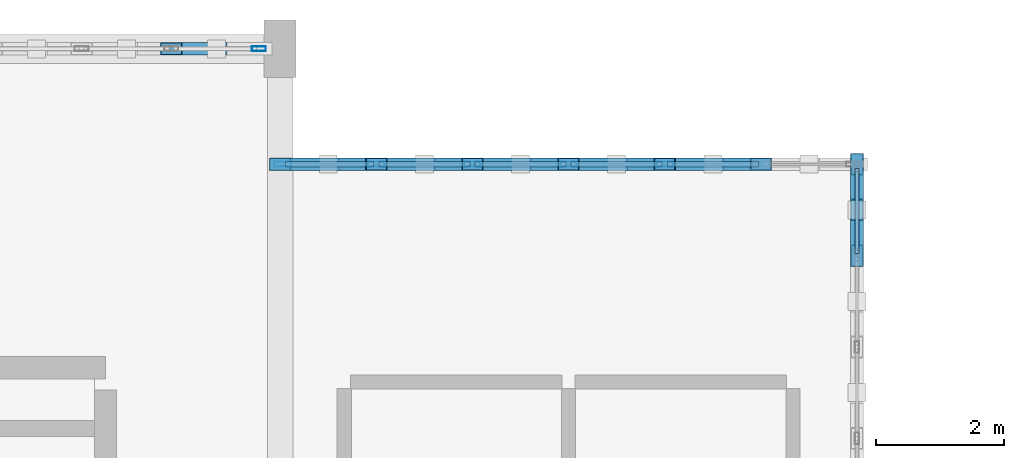
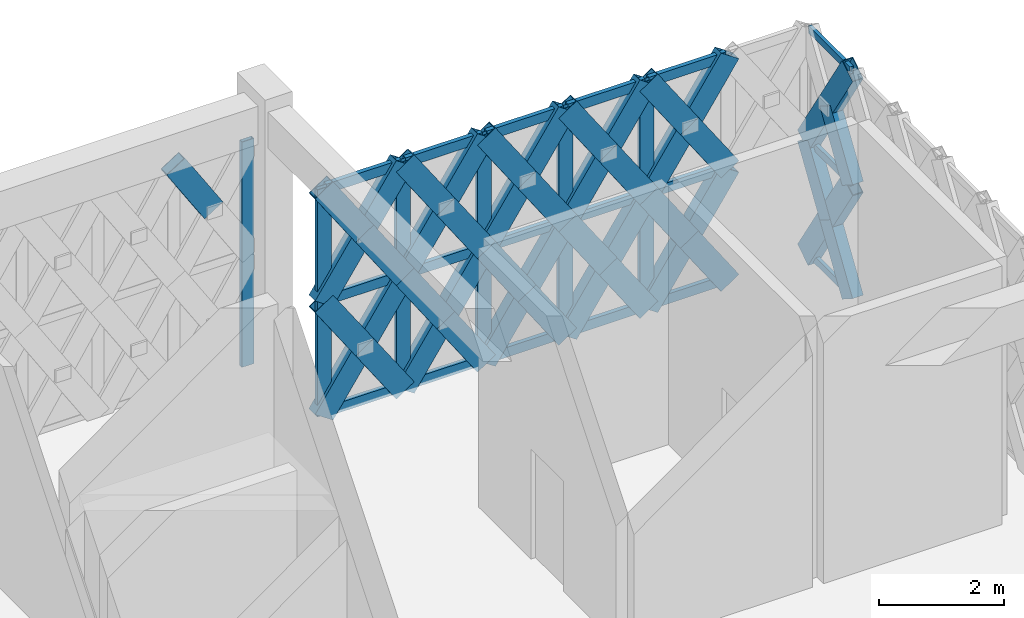
# One storey, part 47 of 86: 60 members, 3 elements without a shape of their own.
"""IFC4 building model written with IfcOpenShell, lengths in metres."""

from ifc_helpers import new_model, si_unit, direction, frame, origin, origin_2d, place, context, subcontext, project, spatial, hollow_rectangle, extrude, material, material_profile, profile_set, type_object, element, aggregate, save


model = new_model("IFC4")

# Units and contexts
model_context = context("Model", 3, precision=1e-05, world=origin(), true_north=direction((0.0, 1.0)))
body_context = subcontext(model_context, "Body", "Model", "MODEL_VIEW")
ifc_project = project(units=[si_unit("LENGTHUNIT", "METRE"), si_unit("AREAUNIT", "SQUARE_METRE"), si_unit("VOLUMEUNIT", "CUBIC_METRE"), si_unit("PLANEANGLEUNIT", "RADIAN"), si_unit("MASSUNIT", "GRAM", prefix="KILO")], contexts=[model_context])

# Site, building, storey
site_placement = place(None, origin())
site = spatial("IfcSite", under=ifc_project, at=site_placement, CompositionType="ELEMENT")
building_placement = place(site_placement, origin())
building = spatial("IfcBuilding", under=site, at=building_placement, Name="Haizhuo Lancet Aquarium", CompositionType="ELEMENT")
storey_placement = place(building_placement, frame((0.0, 0.0, 16.199951171875)))
storey = spatial("IfcBuildingStorey", under=building, at=storey_placement, Name="L03", CompositionType="ELEMENT", Elevation=16.199951171875)

# Curtain wall, member
ifc_material_1 = material(Name="Aluminium 6063-T6", Category="aluminium")
curtain_wall_type_1 = type_object("IfcCurtainWallType", Name="CWD-8410x4400", PredefinedType="NOTDEFINED", material=ifc_material_1)
curtain_wall_1_placement = place(storey_placement, origin())
curtain_wall_1 = element("IfcCurtainWall", 1, at=curtain_wall_1_placement, inside=storey, type_object=curtain_wall_type_1, Name="L03 curtain wall CW-V5-L03-164", PredefinedType="NOTDEFINED")
ifc_material_profile_1 = material_profile(ifc_material_1, hollow_rectangle(XDim=0.074951171875, YDim=0.219970703125, WallThickness=0.0048828125, at=origin_2d()), Name="ALU-M 75x220x5")
ifc_profile_set_1 = profile_set([ifc_material_profile_1], Name="Aluminium 6063-T6")
member_type_1 = type_object("IfcMemberType", Name="CW-MUL-2", PredefinedType="MULLION", material=ifc_profile_set_1)
member_1_placement = place(storey_placement, frame((17.6669921875, 55.800048828125, 0.0), z_axis=(0.0, 0.0, 1.0), x_axis=(0.0, 1.0, 0.0)))
member_1 = element("IfcMember", 2, at=member_1_placement, type_object=member_type_1, Name="CWD-84x44 mullion 7", PredefinedType="MULLION", context=body_context, shape_type="SweptSolid", body=[
    extrude(hollow_rectangle(XDim=0.074951171875, YDim=0.219970703125, WallThickness=0.0048828125, at=origin_2d()), origin(), (0.0, 0.0, 1.0), 4.400146484375),
])
aggregate(curtain_wall_1, [member_1])

# Curtain wall, members
curtain_wall_type_2 = type_object("IfcCurtainWallType", Name="CWD-9000x4430", PredefinedType="NOTDEFINED", material=ifc_material_1)
curtain_wall_2_placement = place(storey_placement, origin())
curtain_wall_2 = element("IfcCurtainWall", 3, at=curtain_wall_2_placement, inside=storey, type_object=curtain_wall_type_2, Name="L03 curtain wall CW-V5-L03-165", PredefinedType="NOTDEFINED")
ifc_material_profile_2 = material_profile(ifc_material_1, hollow_rectangle(XDim=0.080078125, YDim=0.260009765625, WallThickness=0.0048828125, at=origin_2d()), Name="ALU-M 80x260x5")
ifc_profile_set_2 = profile_set([ifc_material_profile_2], Name="Aluminium 6063-T6")
member_type_2 = type_object("IfcMemberType", Name="CW-MUL-3", PredefinedType="MULLION", material=ifc_profile_set_2)
member_2_placement = place(storey_placement, frame((18.0400390625, 54.0, 0.0), z_axis=(0.0, 0.0, 1.0), x_axis=(0.0, 1.0, 0.0)))
member_2 = element("IfcMember", 4, at=member_2_placement, type_object=member_type_2, Name="CWD-90x44 mullion 1", PredefinedType="MULLION", context=body_context, shape_type="SweptSolid", body=[
    extrude(hollow_rectangle(XDim=0.080078125, YDim=0.260009765625, WallThickness=0.0048828125, at=origin_2d()), origin(), (0.0, 0.0, 1.0), 4.43505859375),
])
member_3_placement = place(storey_placement, frame((19.5, 54.0, 0.0), z_axis=(0.0, 0.0, 1.0), x_axis=(0.0, 1.0, 0.0)))
member_3 = element("IfcMember", 5, at=member_3_placement, type_object=member_type_2, Name="CWD-90x44 mullion 2", PredefinedType="MULLION", context=body_context, shape_type="SweptSolid", body=[
    extrude(hollow_rectangle(XDim=0.080078125, YDim=0.260009765625, WallThickness=0.0048828125, at=origin_2d()), origin(), (0.0, 0.0, 1.0), 4.43505859375),
])
member_4_placement = place(storey_placement, frame((21.0, 54.0, 0.0), z_axis=(0.0, 0.0, 1.0), x_axis=(0.0, 1.0, 0.0)))
member_4 = element("IfcMember", 6, at=member_4_placement, type_object=member_type_2, Name="CWD-90x44 mullion 3", PredefinedType="MULLION", context=body_context, shape_type="SweptSolid", body=[
    extrude(hollow_rectangle(XDim=0.080078125, YDim=0.260009765625, WallThickness=0.0048828125, at=origin_2d()), origin(), (0.0, 0.0, 1.0), 4.43505859375),
])
member_5_placement = place(storey_placement, frame((22.5, 54.0, 0.0), z_axis=(0.0, 0.0, 1.0), x_axis=(0.0, 1.0, 0.0)))
member_5 = element("IfcMember", 7, at=member_5_placement, type_object=member_type_2, Name="CWD-90x44 mullion 4", PredefinedType="MULLION", context=body_context, shape_type="SweptSolid", body=[
    extrude(hollow_rectangle(XDim=0.080078125, YDim=0.260009765625, WallThickness=0.0048828125, at=origin_2d()), origin(), (0.0, 0.0, 1.0), 4.43505859375),
])
member_6_placement = place(storey_placement, frame((24.0, 54.0, 0.0), z_axis=(0.0, 0.0, 1.0), x_axis=(0.0, 1.0, 0.0)))
member_6 = element("IfcMember", 8, at=member_6_placement, type_object=member_type_2, Name="CWD-90x44 mullion 5", PredefinedType="MULLION", context=body_context, shape_type="SweptSolid", body=[
    extrude(hollow_rectangle(XDim=0.080078125, YDim=0.260009765625, WallThickness=0.0048828125, at=origin_2d()), origin(), (0.0, 0.0, 1.0), 4.43505859375),
])

curtain_wall_type_3 = type_object("IfcCurtainWallType", Name="CWD-8560x4450", PredefinedType="NOTDEFINED", material=ifc_material_1)
curtain_wall_3_placement = place(storey_placement, origin())
curtain_wall_3 = element("IfcCurtainWall", 9, at=curtain_wall_3_placement, inside=storey, type_object=curtain_wall_type_3, Name="L03 curtain wall CW-V5-L03-166", PredefinedType="NOTDEFINED")
ifc_material_profile_3 = material_profile(ifc_material_1, hollow_rectangle(XDim=0.06494140625, YDim=0.139892578125, WallThickness=0.00390625, at=origin_2d()), Name="ALU-T 65x140x4")
ifc_profile_set_3 = profile_set([ifc_material_profile_3], Name="Aluminium 6063-T6")
member_type_3 = type_object("IfcMemberType", Name="CW-TRN-1", PredefinedType="NOTDEFINED", material=ifc_profile_set_3)
member_7_placement = place(storey_placement, frame((27.0, 53.93505859375, 0.031982421875), z_axis=(0.0, -1.0, 0.0), x_axis=(1.0, 0.0, 0.0)))
member_7 = element("IfcMember", 10, at=member_7_placement, type_object=member_type_3, Name="CWD-85x44 transom 1.1", ObjectType="TRANSOM", PredefinedType="USERDEFINED", context=body_context, shape_type="SweptSolid", body=[
    extrude(hollow_rectangle(XDim=0.06494140625, YDim=0.139892578125, WallThickness=0.00390625, at=origin_2d()), origin(), (0.0, 0.0, 1.0), 1.328125),
])
member_8_placement = place(storey_placement, frame((27.0, 53.93505859375, 2.22509765625), z_axis=(0.0, -1.0, 0.0), x_axis=(1.0, 0.0, 0.0)))
member_8 = element("IfcMember", 11, at=member_8_placement, type_object=member_type_3, Name="CWD-85x44 transom 1.2", ObjectType="TRANSOM", PredefinedType="USERDEFINED", context=body_context, shape_type="SweptSolid", body=[
    extrude(hollow_rectangle(XDim=0.06494140625, YDim=0.139892578125, WallThickness=0.00390625, at=origin_2d()), origin(), (0.0, 0.0, 1.0), 1.328125),
])
member_9_placement = place(storey_placement, frame((27.0, 53.93505859375, 4.4169921875), z_axis=(0.0, -1.0, 0.0), x_axis=(1.0, 0.0, 0.0)))
member_9 = element("IfcMember", 12, at=member_9_placement, type_object=member_type_3, Name="CWD-85x44 transom 1.3", ObjectType="TRANSOM", PredefinedType="USERDEFINED", context=body_context, shape_type="SweptSolid", body=[
    extrude(hollow_rectangle(XDim=0.06494140625, YDim=0.139892578125, WallThickness=0.00390625, at=origin_2d()), origin(), (0.0, 0.0, 1.0), 1.328125),
])
aggregate(curtain_wall_3, [member_7, member_8, member_9])

# Member
ifc_material_profile_4 = material_profile(ifc_material_1, hollow_rectangle(XDim=0.080078125, YDim=0.18994140625, WallThickness=0.0048828125, at=origin_2d()), Name="ALU-T 80x190x5")
ifc_profile_set_4 = profile_set([ifc_material_profile_4], Name="Aluminium 6063-T6")
member_type_4 = type_object("IfcMemberType", Name="CW-TRN-3", PredefinedType="NOTDEFINED", material=ifc_profile_set_4)
member_10_placement = place(storey_placement, frame((18.080078125, 54.0, 0.0400390625), z_axis=(1.0, 0.0, 0.0), x_axis=(0.0, 1.0, 0.0)))
member_10 = element("IfcMember", 13, at=member_10_placement, type_object=member_type_4, Name="CWD-90x44 transom 1.1", ObjectType="TRANSOM", PredefinedType="USERDEFINED", context=body_context, shape_type="SweptSolid", body=[
    extrude(hollow_rectangle(XDim=0.080078125, YDim=0.18994140625, WallThickness=0.0048828125, at=origin_2d()), origin(), (0.0, 0.0, 1.0), 1.3798828125),
])

member_11_placement = place(storey_placement, frame((18.080078125, 54.0, 2.218017578125), z_axis=(1.0, 0.0, 0.0), x_axis=(0.0, 1.0, 0.0)))
member_11 = element("IfcMember", 14, at=member_11_placement, type_object=member_type_4, Name="CWD-90x44 transom 1.2", ObjectType="TRANSOM", PredefinedType="USERDEFINED", context=body_context, shape_type="SweptSolid", body=[
    extrude(hollow_rectangle(XDim=0.080078125, YDim=0.18994140625, WallThickness=0.0048828125, at=origin_2d()), origin(), (0.0, 0.0, 1.0), 1.3798828125),
])

member_12_placement = place(storey_placement, frame((18.080078125, 54.0, 4.39501953125), z_axis=(1.0, 0.0, 0.0), x_axis=(0.0, 1.0, 0.0)))
member_12 = element("IfcMember", 15, at=member_12_placement, type_object=member_type_4, Name="CWD-90x44 transom 1.3", ObjectType="TRANSOM", PredefinedType="USERDEFINED", context=body_context, shape_type="SweptSolid", body=[
    extrude(hollow_rectangle(XDim=0.080078125, YDim=0.18994140625, WallThickness=0.0048828125, at=origin_2d()), origin(), (0.0, 0.0, 1.0), 1.3798828125),
])

member_13_placement = place(storey_placement, frame((19.5400390625, 54.0, 0.0400390625), z_axis=(1.0, 0.0, 0.0), x_axis=(0.0, 1.0, 0.0)))
member_13 = element("IfcMember", 16, at=member_13_placement, type_object=member_type_4, Name="CWD-90x44 transom 2.1", ObjectType="TRANSOM", PredefinedType="USERDEFINED", context=body_context, shape_type="SweptSolid", body=[
    extrude(hollow_rectangle(XDim=0.080078125, YDim=0.18994140625, WallThickness=0.0048828125, at=origin_2d()), origin(), (0.0, 0.0, 1.0), 1.419921875),
])

member_14_placement = place(storey_placement, frame((19.5400390625, 54.0, 2.218017578125), z_axis=(1.0, 0.0, 0.0), x_axis=(0.0, 1.0, 0.0)))
member_14 = element("IfcMember", 17, at=member_14_placement, type_object=member_type_4, Name="CWD-90x44 transom 2.2", ObjectType="TRANSOM", PredefinedType="USERDEFINED", context=body_context, shape_type="SweptSolid", body=[
    extrude(hollow_rectangle(XDim=0.080078125, YDim=0.18994140625, WallThickness=0.0048828125, at=origin_2d()), origin(), (0.0, 0.0, 1.0), 1.419921875),
])

member_15_placement = place(storey_placement, frame((19.5400390625, 54.0, 4.39501953125), z_axis=(1.0, 0.0, 0.0), x_axis=(0.0, 1.0, 0.0)))
member_15 = element("IfcMember", 18, at=member_15_placement, type_object=member_type_4, Name="CWD-90x44 transom 2.3", ObjectType="TRANSOM", PredefinedType="USERDEFINED", context=body_context, shape_type="SweptSolid", body=[
    extrude(hollow_rectangle(XDim=0.080078125, YDim=0.18994140625, WallThickness=0.0048828125, at=origin_2d()), origin(), (0.0, 0.0, 1.0), 1.419921875),
])

member_16_placement = place(storey_placement, frame((21.0400390625, 54.0, 0.0400390625), z_axis=(1.0, 0.0, 0.0), x_axis=(0.0, 1.0, 0.0)))
member_16 = element("IfcMember", 19, at=member_16_placement, type_object=member_type_4, Name="CWD-90x44 transom 3.1", ObjectType="TRANSOM", PredefinedType="USERDEFINED", context=body_context, shape_type="SweptSolid", body=[
    extrude(hollow_rectangle(XDim=0.080078125, YDim=0.18994140625, WallThickness=0.0048828125, at=origin_2d()), origin(), (0.0, 0.0, 1.0), 1.419921875),
])

member_17_placement = place(storey_placement, frame((21.0400390625, 54.0, 2.218017578125), z_axis=(1.0, 0.0, 0.0), x_axis=(0.0, 1.0, 0.0)))
member_17 = element("IfcMember", 20, at=member_17_placement, type_object=member_type_4, Name="CWD-90x44 transom 3.2", ObjectType="TRANSOM", PredefinedType="USERDEFINED", context=body_context, shape_type="SweptSolid", body=[
    extrude(hollow_rectangle(XDim=0.080078125, YDim=0.18994140625, WallThickness=0.0048828125, at=origin_2d()), origin(), (0.0, 0.0, 1.0), 1.419921875),
])

member_18_placement = place(storey_placement, frame((21.0400390625, 54.0, 4.39501953125), z_axis=(1.0, 0.0, 0.0), x_axis=(0.0, 1.0, 0.0)))
member_18 = element("IfcMember", 21, at=member_18_placement, type_object=member_type_4, Name="CWD-90x44 transom 3.3", ObjectType="TRANSOM", PredefinedType="USERDEFINED", context=body_context, shape_type="SweptSolid", body=[
    extrude(hollow_rectangle(XDim=0.080078125, YDim=0.18994140625, WallThickness=0.0048828125, at=origin_2d()), origin(), (0.0, 0.0, 1.0), 1.419921875),
])

member_19_placement = place(storey_placement, frame((22.5400390625, 54.0, 0.0400390625), z_axis=(1.0, 0.0, 0.0), x_axis=(0.0, 1.0, 0.0)))
member_19 = element("IfcMember", 22, at=member_19_placement, type_object=member_type_4, Name="CWD-90x44 transom 4.1", ObjectType="TRANSOM", PredefinedType="USERDEFINED", context=body_context, shape_type="SweptSolid", body=[
    extrude(hollow_rectangle(XDim=0.080078125, YDim=0.18994140625, WallThickness=0.0048828125, at=origin_2d()), origin(), (0.0, 0.0, 1.0), 1.419921875),
])

member_20_placement = place(storey_placement, frame((22.5400390625, 54.0, 2.218017578125), z_axis=(1.0, 0.0, 0.0), x_axis=(0.0, 1.0, 0.0)))
member_20 = element("IfcMember", 23, at=member_20_placement, type_object=member_type_4, Name="CWD-90x44 transom 4.2", ObjectType="TRANSOM", PredefinedType="USERDEFINED", context=body_context, shape_type="SweptSolid", body=[
    extrude(hollow_rectangle(XDim=0.080078125, YDim=0.18994140625, WallThickness=0.0048828125, at=origin_2d()), origin(), (0.0, 0.0, 1.0), 1.419921875),
])

member_21_placement = place(storey_placement, frame((22.5400390625, 54.0, 4.39501953125), z_axis=(1.0, 0.0, 0.0), x_axis=(0.0, 1.0, 0.0)))
member_21 = element("IfcMember", 24, at=member_21_placement, type_object=member_type_4, Name="CWD-90x44 transom 4.3", ObjectType="TRANSOM", PredefinedType="USERDEFINED", context=body_context, shape_type="SweptSolid", body=[
    extrude(hollow_rectangle(XDim=0.080078125, YDim=0.18994140625, WallThickness=0.0048828125, at=origin_2d()), origin(), (0.0, 0.0, 1.0), 1.419921875),
])

member_22_placement = place(storey_placement, frame((24.0400390625, 54.0, 0.0400390625), z_axis=(1.0, 0.0, 0.0), x_axis=(0.0, 1.0, 0.0)))
member_22 = element("IfcMember", 25, at=member_22_placement, type_object=member_type_4, Name="CWD-90x44 transom 5.1", ObjectType="TRANSOM", PredefinedType="USERDEFINED", context=body_context, shape_type="SweptSolid", body=[
    extrude(hollow_rectangle(XDim=0.080078125, YDim=0.18994140625, WallThickness=0.0048828125, at=origin_2d()), origin(), (0.0, 0.0, 1.0), 1.419921875),
])

member_23_placement = place(storey_placement, frame((24.0400390625, 54.0, 2.218017578125), z_axis=(1.0, 0.0, 0.0), x_axis=(0.0, 1.0, 0.0)))
member_23 = element("IfcMember", 26, at=member_23_placement, type_object=member_type_4, Name="CWD-90x44 transom 5.2", ObjectType="TRANSOM", PredefinedType="USERDEFINED", context=body_context, shape_type="SweptSolid", body=[
    extrude(hollow_rectangle(XDim=0.080078125, YDim=0.18994140625, WallThickness=0.0048828125, at=origin_2d()), origin(), (0.0, 0.0, 1.0), 1.419921875),
])

member_24_placement = place(storey_placement, frame((24.0400390625, 54.0, 4.39501953125), z_axis=(1.0, 0.0, 0.0), x_axis=(0.0, 1.0, 0.0)))
member_24 = element("IfcMember", 27, at=member_24_placement, type_object=member_type_4, Name="CWD-90x44 transom 5.3", ObjectType="TRANSOM", PredefinedType="USERDEFINED", context=body_context, shape_type="SweptSolid", body=[
    extrude(hollow_rectangle(XDim=0.080078125, YDim=0.18994140625, WallThickness=0.0048828125, at=origin_2d()), origin(), (0.0, 0.0, 1.0), 1.419921875),
])

aggregate(curtain_wall_2, [member_2, member_3, member_4, member_5, member_6, member_10, member_11, member_12, member_13, member_14, member_15, member_16, member_17, member_18, member_19, member_20, member_21, member_22, member_23, member_24])

# Members
ifc_material_2 = material(Name="Steel S355", Category="steel")
ifc_material_profile_5 = material_profile(ifc_material_2, hollow_rectangle(XDim=0.199951171875, YDim=0.39990234375, WallThickness=0.011962890625, at=origin_2d()), Name="RHS 200x400x12")
ifc_profile_set_5 = profile_set([ifc_material_profile_5], Name="Steel S355")
member_type_5 = type_object("IfcMemberType", Name="MEM-LB-RHS200x400", PredefinedType="BRACE", material=ifc_profile_set_5)
member_25_placement = place(storey_placement, frame((17.00390625, 55.800048828125, 3.300048828125), z_axis=(-0.537347721811, 0.0, 0.843360792226), x_axis=(0.0, -1.0, 0.0)))
element("IfcMember", 28, at=member_25_placement, inside=storey, type_object=member_type_5, Name="Gothic lancet split diagonal brace CW-V5-L03-164 12B2", PredefinedType="BRACE", context=body_context, shape_type="SweptSolid", body=[
    extrude(hollow_rectangle(XDim=0.199951171875, YDim=0.39990234375, WallThickness=0.011962890625, at=origin_2d()), origin(), (0.0, 0.0, 1.0), 1.304443359375),
])
member_26_placement = place(storey_placement, frame((18.0, 54.0, 0.0), z_axis=(0.560200814461, 0.0, 0.828356835837), x_axis=(0.0, 1.0, 0.0)))
element("IfcMember", 29, at=member_26_placement, inside=storey, type_object=member_type_5, Name="Gothic lancet continuous diagonal brace CW-V5-L03-165 1A", PredefinedType="BRACE", context=body_context, shape_type="SweptSolid", body=[
    extrude(hollow_rectangle(XDim=0.199951171875, YDim=0.39990234375, WallThickness=0.011962890625, at=origin_2d()), origin(), (0.0, 0.0, 1.0), 2.677490234375),
])
member_27_placement = place(storey_placement, frame((19.5, 54.0, 0.0), z_axis=(-0.560158505884, 0.0, 0.828385446689), x_axis=(0.0, -1.0, 0.0)))
element("IfcMember", 30, at=member_27_placement, inside=storey, type_object=member_type_5, Name="Gothic lancet split diagonal brace CW-V5-L03-165 1B1", PredefinedType="BRACE", context=body_context, shape_type="SweptSolid", body=[
    extrude(hollow_rectangle(XDim=0.199951171875, YDim=0.39990234375, WallThickness=0.011962890625, at=origin_2d()), origin(), (0.0, 0.0, 1.0), 1.3388671875),
])
member_28_placement = place(storey_placement, frame((18.75, 54.0, 1.109130859375), z_axis=(-0.560243127969, 0.0, 0.8283282185), x_axis=(0.0, -1.0, 0.0)))
element("IfcMember", 31, at=member_28_placement, inside=storey, type_object=member_type_5, Name="Gothic lancet split diagonal brace CW-V5-L03-165 1B2", PredefinedType="BRACE", context=body_context, shape_type="SweptSolid", body=[
    extrude(hollow_rectangle(XDim=0.199951171875, YDim=0.39990234375, WallThickness=0.011962890625, at=origin_2d()), origin(), (0.0, 0.0, 1.0), 1.338623046875),
])
member_29_placement = place(storey_placement, frame((18.0, 54.0, 2.218017578125), z_axis=(0.560370098074, 0.0, 0.828242327573), x_axis=(0.0, 1.0, 0.0)))
element("IfcMember", 32, at=member_29_placement, inside=storey, type_object=member_type_5, Name="Gothic lancet continuous diagonal brace CW-V5-L03-165 2A", PredefinedType="BRACE", context=body_context, shape_type="SweptSolid", body=[
    extrude(hollow_rectangle(XDim=0.199951171875, YDim=0.39990234375, WallThickness=0.011962890625, at=origin_2d()), origin(), (0.0, 0.0, 1.0), 2.6767578125),
])
member_30_placement = place(storey_placement, frame((19.5, 54.0, 2.218017578125), z_axis=(-0.560581813555, 0.0, 0.828099046196), x_axis=(0.0, -1.0, 0.0)))
element("IfcMember", 33, at=member_30_placement, inside=storey, type_object=member_type_5, Name="Gothic lancet split diagonal brace CW-V5-L03-165 2B1", PredefinedType="BRACE", context=body_context, shape_type="SweptSolid", body=[
    extrude(hollow_rectangle(XDim=0.199951171875, YDim=0.39990234375, WallThickness=0.011962890625, at=origin_2d()), origin(), (0.0, 0.0, 1.0), 1.337890625),
])
member_31_placement = place(storey_placement, frame((18.75, 54.0, 3.325927734375), z_axis=(-0.560158505884, 0.0, 0.828385446689), x_axis=(0.0, -1.0, 0.0)))
element("IfcMember", 34, at=member_31_placement, inside=storey, type_object=member_type_5, Name="Gothic lancet split diagonal brace CW-V5-L03-165 2B2", PredefinedType="BRACE", context=body_context, shape_type="SweptSolid", body=[
    extrude(hollow_rectangle(XDim=0.199951171875, YDim=0.39990234375, WallThickness=0.011962890625, at=origin_2d()), origin(), (0.0, 0.0, 1.0), 1.3388671875),
])
member_32_placement = place(storey_placement, frame((19.5, 54.0, 0.0), z_axis=(0.560200814461, 0.0, 0.828356835837), x_axis=(0.0, 1.0, 0.0)))
element("IfcMember", 35, at=member_32_placement, inside=storey, type_object=member_type_5, Name="Gothic lancet continuous diagonal brace CW-V5-L03-165 3A", PredefinedType="BRACE", context=body_context, shape_type="SweptSolid", body=[
    extrude(hollow_rectangle(XDim=0.199951171875, YDim=0.39990234375, WallThickness=0.011962890625, at=origin_2d()), origin(), (0.0, 0.0, 1.0), 2.677490234375),
])
member_33_placement = place(storey_placement, frame((21.0, 54.0, 0.0), z_axis=(-0.560158505884, 0.0, 0.828385446689), x_axis=(0.0, -1.0, 0.0)))
element("IfcMember", 36, at=member_33_placement, inside=storey, type_object=member_type_5, Name="Gothic lancet split diagonal brace CW-V5-L03-165 3B1", PredefinedType="BRACE", context=body_context, shape_type="SweptSolid", body=[
    extrude(hollow_rectangle(XDim=0.199951171875, YDim=0.39990234375, WallThickness=0.011962890625, at=origin_2d()), origin(), (0.0, 0.0, 1.0), 1.3388671875),
])
member_34_placement = place(storey_placement, frame((20.25, 54.0, 1.109130859375), z_axis=(-0.560243127969, 0.0, 0.8283282185), x_axis=(0.0, -1.0, 0.0)))
element("IfcMember", 37, at=member_34_placement, inside=storey, type_object=member_type_5, Name="Gothic lancet split diagonal brace CW-V5-L03-165 3B2", PredefinedType="BRACE", context=body_context, shape_type="SweptSolid", body=[
    extrude(hollow_rectangle(XDim=0.199951171875, YDim=0.39990234375, WallThickness=0.011962890625, at=origin_2d()), origin(), (0.0, 0.0, 1.0), 1.338623046875),
])
member_35_placement = place(storey_placement, frame((19.5, 54.0, 2.218017578125), z_axis=(0.560370098074, 0.0, 0.828242327573), x_axis=(0.0, 1.0, 0.0)))
element("IfcMember", 38, at=member_35_placement, inside=storey, type_object=member_type_5, Name="Gothic lancet continuous diagonal brace CW-V5-L03-165 4A", PredefinedType="BRACE", context=body_context, shape_type="SweptSolid", body=[
    extrude(hollow_rectangle(XDim=0.199951171875, YDim=0.39990234375, WallThickness=0.011962890625, at=origin_2d()), origin(), (0.0, 0.0, 1.0), 2.6767578125),
])
member_36_placement = place(storey_placement, frame((21.0, 54.0, 2.218017578125), z_axis=(-0.560581813555, 0.0, 0.828099046196), x_axis=(0.0, -1.0, 0.0)))
element("IfcMember", 39, at=member_36_placement, inside=storey, type_object=member_type_5, Name="Gothic lancet split diagonal brace CW-V5-L03-165 4B1", PredefinedType="BRACE", context=body_context, shape_type="SweptSolid", body=[
    extrude(hollow_rectangle(XDim=0.199951171875, YDim=0.39990234375, WallThickness=0.011962890625, at=origin_2d()), origin(), (0.0, 0.0, 1.0), 1.337890625),
])
member_37_placement = place(storey_placement, frame((20.25, 54.0, 3.325927734375), z_axis=(-0.560158505884, 0.0, 0.828385446689), x_axis=(0.0, -1.0, 0.0)))
element("IfcMember", 40, at=member_37_placement, inside=storey, type_object=member_type_5, Name="Gothic lancet split diagonal brace CW-V5-L03-165 4B2", PredefinedType="BRACE", context=body_context, shape_type="SweptSolid", body=[
    extrude(hollow_rectangle(XDim=0.199951171875, YDim=0.39990234375, WallThickness=0.011962890625, at=origin_2d()), origin(), (0.0, 0.0, 1.0), 1.3388671875),
])
member_38_placement = place(storey_placement, frame((21.0, 54.0, 0.0), z_axis=(0.560200814461, 0.0, 0.828356835837), x_axis=(0.0, 1.0, 0.0)))
element("IfcMember", 41, at=member_38_placement, inside=storey, type_object=member_type_5, Name="Gothic lancet continuous diagonal brace CW-V5-L03-165 5A", PredefinedType="BRACE", context=body_context, shape_type="SweptSolid", body=[
    extrude(hollow_rectangle(XDim=0.199951171875, YDim=0.39990234375, WallThickness=0.011962890625, at=origin_2d()), origin(), (0.0, 0.0, 1.0), 2.677490234375),
])
member_39_placement = place(storey_placement, frame((22.5, 54.0, 0.0), z_axis=(-0.560158505884, 0.0, 0.828385446689), x_axis=(0.0, -1.0, 0.0)))
element("IfcMember", 42, at=member_39_placement, inside=storey, type_object=member_type_5, Name="Gothic lancet split diagonal brace CW-V5-L03-165 5B1", PredefinedType="BRACE", context=body_context, shape_type="SweptSolid", body=[
    extrude(hollow_rectangle(XDim=0.199951171875, YDim=0.39990234375, WallThickness=0.011962890625, at=origin_2d()), origin(), (0.0, 0.0, 1.0), 1.3388671875),
])
member_40_placement = place(storey_placement, frame((21.75, 54.0, 1.109130859375), z_axis=(-0.560243127969, 0.0, 0.8283282185), x_axis=(0.0, -1.0, 0.0)))
element("IfcMember", 43, at=member_40_placement, inside=storey, type_object=member_type_5, Name="Gothic lancet split diagonal brace CW-V5-L03-165 5B2", PredefinedType="BRACE", context=body_context, shape_type="SweptSolid", body=[
    extrude(hollow_rectangle(XDim=0.199951171875, YDim=0.39990234375, WallThickness=0.011962890625, at=origin_2d()), origin(), (0.0, 0.0, 1.0), 1.338623046875),
])
member_41_placement = place(storey_placement, frame((21.0, 54.0, 2.218017578125), z_axis=(0.560370098074, 0.0, 0.828242327573), x_axis=(0.0, 1.0, 0.0)))
element("IfcMember", 44, at=member_41_placement, inside=storey, type_object=member_type_5, Name="Gothic lancet continuous diagonal brace CW-V5-L03-165 6A", PredefinedType="BRACE", context=body_context, shape_type="SweptSolid", body=[
    extrude(hollow_rectangle(XDim=0.199951171875, YDim=0.39990234375, WallThickness=0.011962890625, at=origin_2d()), origin(), (0.0, 0.0, 1.0), 2.6767578125),
])
member_42_placement = place(storey_placement, frame((22.5, 54.0, 2.218017578125), z_axis=(-0.560581813555, 0.0, 0.828099046196), x_axis=(0.0, -1.0, 0.0)))
element("IfcMember", 45, at=member_42_placement, inside=storey, type_object=member_type_5, Name="Gothic lancet split diagonal brace CW-V5-L03-165 6B1", PredefinedType="BRACE", context=body_context, shape_type="SweptSolid", body=[
    extrude(hollow_rectangle(XDim=0.199951171875, YDim=0.39990234375, WallThickness=0.011962890625, at=origin_2d()), origin(), (0.0, 0.0, 1.0), 1.337890625),
])
member_43_placement = place(storey_placement, frame((21.75, 54.0, 3.325927734375), z_axis=(-0.560158505884, 0.0, 0.828385446689), x_axis=(0.0, -1.0, 0.0)))
element("IfcMember", 46, at=member_43_placement, inside=storey, type_object=member_type_5, Name="Gothic lancet split diagonal brace CW-V5-L03-165 6B2", PredefinedType="BRACE", context=body_context, shape_type="SweptSolid", body=[
    extrude(hollow_rectangle(XDim=0.199951171875, YDim=0.39990234375, WallThickness=0.011962890625, at=origin_2d()), origin(), (0.0, 0.0, 1.0), 1.3388671875),
])
member_44_placement = place(storey_placement, frame((22.5, 54.0, 0.0), z_axis=(0.560200814461, 0.0, 0.828356835837), x_axis=(0.0, 1.0, 0.0)))
element("IfcMember", 47, at=member_44_placement, inside=storey, type_object=member_type_5, Name="Gothic lancet continuous diagonal brace CW-V5-L03-165 7A", PredefinedType="BRACE", context=body_context, shape_type="SweptSolid", body=[
    extrude(hollow_rectangle(XDim=0.199951171875, YDim=0.39990234375, WallThickness=0.011962890625, at=origin_2d()), origin(), (0.0, 0.0, 1.0), 2.677490234375),
])
member_45_placement = place(storey_placement, frame((24.0, 54.0, 0.0), z_axis=(-0.560158505884, 0.0, 0.828385446689), x_axis=(0.0, -1.0, 0.0)))
element("IfcMember", 48, at=member_45_placement, inside=storey, type_object=member_type_5, Name="Gothic lancet split diagonal brace CW-V5-L03-165 7B1", PredefinedType="BRACE", context=body_context, shape_type="SweptSolid", body=[
    extrude(hollow_rectangle(XDim=0.199951171875, YDim=0.39990234375, WallThickness=0.011962890625, at=origin_2d()), origin(), (0.0, 0.0, 1.0), 1.3388671875),
])
member_46_placement = place(storey_placement, frame((23.25, 54.0, 1.109130859375), z_axis=(-0.560243127969, 0.0, 0.8283282185), x_axis=(0.0, -1.0, 0.0)))
element("IfcMember", 49, at=member_46_placement, inside=storey, type_object=member_type_5, Name="Gothic lancet split diagonal brace CW-V5-L03-165 7B2", PredefinedType="BRACE", context=body_context, shape_type="SweptSolid", body=[
    extrude(hollow_rectangle(XDim=0.199951171875, YDim=0.39990234375, WallThickness=0.011962890625, at=origin_2d()), origin(), (0.0, 0.0, 1.0), 1.338623046875),
])
member_47_placement = place(storey_placement, frame((22.5, 54.0, 2.218017578125), z_axis=(0.560370098074, 0.0, 0.828242327573), x_axis=(0.0, 1.0, 0.0)))
element("IfcMember", 50, at=member_47_placement, inside=storey, type_object=member_type_5, Name="Gothic lancet continuous diagonal brace CW-V5-L03-165 8A", PredefinedType="BRACE", context=body_context, shape_type="SweptSolid", body=[
    extrude(hollow_rectangle(XDim=0.199951171875, YDim=0.39990234375, WallThickness=0.011962890625, at=origin_2d()), origin(), (0.0, 0.0, 1.0), 2.6767578125),
])
member_48_placement = place(storey_placement, frame((24.0, 54.0, 2.218017578125), z_axis=(-0.560581813555, 0.0, 0.828099046196), x_axis=(0.0, -1.0, 0.0)))
element("IfcMember", 51, at=member_48_placement, inside=storey, type_object=member_type_5, Name="Gothic lancet split diagonal brace CW-V5-L03-165 8B1", PredefinedType="BRACE", context=body_context, shape_type="SweptSolid", body=[
    extrude(hollow_rectangle(XDim=0.199951171875, YDim=0.39990234375, WallThickness=0.011962890625, at=origin_2d()), origin(), (0.0, 0.0, 1.0), 1.337890625),
])
member_49_placement = place(storey_placement, frame((23.25, 54.0, 3.325927734375), z_axis=(-0.560158505884, 0.0, 0.828385446689), x_axis=(0.0, -1.0, 0.0)))
element("IfcMember", 52, at=member_49_placement, inside=storey, type_object=member_type_5, Name="Gothic lancet split diagonal brace CW-V5-L03-165 8B2", PredefinedType="BRACE", context=body_context, shape_type="SweptSolid", body=[
    extrude(hollow_rectangle(XDim=0.199951171875, YDim=0.39990234375, WallThickness=0.011962890625, at=origin_2d()), origin(), (0.0, 0.0, 1.0), 1.3388671875),
])
member_50_placement = place(storey_placement, frame((24.0, 54.0, 0.0), z_axis=(0.560200814461, 0.0, 0.828356835837), x_axis=(0.0, 1.0, 0.0)))
element("IfcMember", 53, at=member_50_placement, inside=storey, type_object=member_type_5, Name="Gothic lancet continuous diagonal brace CW-V5-L03-165 9A", PredefinedType="BRACE", context=body_context, shape_type="SweptSolid", body=[
    extrude(hollow_rectangle(XDim=0.199951171875, YDim=0.39990234375, WallThickness=0.011962890625, at=origin_2d()), origin(), (0.0, 0.0, 1.0), 2.677490234375),
])
member_51_placement = place(storey_placement, frame((25.5, 54.0, 0.0), z_axis=(-0.560158505884, 0.0, 0.828385446689), x_axis=(0.0, -1.0, 0.0)))
element("IfcMember", 54, at=member_51_placement, inside=storey, type_object=member_type_5, Name="Gothic lancet split diagonal brace CW-V5-L03-165 9B1", PredefinedType="BRACE", context=body_context, shape_type="SweptSolid", body=[
    extrude(hollow_rectangle(XDim=0.199951171875, YDim=0.39990234375, WallThickness=0.011962890625, at=origin_2d()), origin(), (0.0, 0.0, 1.0), 1.3388671875),
])
member_52_placement = place(storey_placement, frame((24.75, 54.0, 1.109130859375), z_axis=(-0.560243127969, 0.0, 0.8283282185), x_axis=(0.0, -1.0, 0.0)))
element("IfcMember", 55, at=member_52_placement, inside=storey, type_object=member_type_5, Name="Gothic lancet split diagonal brace CW-V5-L03-165 9B2", PredefinedType="BRACE", context=body_context, shape_type="SweptSolid", body=[
    extrude(hollow_rectangle(XDim=0.199951171875, YDim=0.39990234375, WallThickness=0.011962890625, at=origin_2d()), origin(), (0.0, 0.0, 1.0), 1.338623046875),
])
member_53_placement = place(storey_placement, frame((24.0, 54.0, 2.218017578125), z_axis=(0.560370098074, 0.0, 0.828242327573), x_axis=(0.0, 1.0, 0.0)))
element("IfcMember", 56, at=member_53_placement, inside=storey, type_object=member_type_5, Name="Gothic lancet continuous diagonal brace CW-V5-L03-165 10A", PredefinedType="BRACE", context=body_context, shape_type="SweptSolid", body=[
    extrude(hollow_rectangle(XDim=0.199951171875, YDim=0.39990234375, WallThickness=0.011962890625, at=origin_2d()), origin(), (0.0, 0.0, 1.0), 2.6767578125),
])
member_54_placement = place(storey_placement, frame((25.5, 54.0, 2.218017578125), z_axis=(-0.560581813555, 0.0, 0.828099046196), x_axis=(0.0, -1.0, 0.0)))
element("IfcMember", 57, at=member_54_placement, inside=storey, type_object=member_type_5, Name="Gothic lancet split diagonal brace CW-V5-L03-165 10B1", PredefinedType="BRACE", context=body_context, shape_type="SweptSolid", body=[
    extrude(hollow_rectangle(XDim=0.199951171875, YDim=0.39990234375, WallThickness=0.011962890625, at=origin_2d()), origin(), (0.0, 0.0, 1.0), 1.337890625),
])
member_55_placement = place(storey_placement, frame((24.75, 54.0, 3.325927734375), z_axis=(-0.560158505884, 0.0, 0.828385446689), x_axis=(0.0, -1.0, 0.0)))
element("IfcMember", 58, at=member_55_placement, inside=storey, type_object=member_type_5, Name="Gothic lancet split diagonal brace CW-V5-L03-165 10B2", PredefinedType="BRACE", context=body_context, shape_type="SweptSolid", body=[
    extrude(hollow_rectangle(XDim=0.199951171875, YDim=0.39990234375, WallThickness=0.011962890625, at=origin_2d()), origin(), (0.0, 0.0, 1.0), 1.3388671875),
])
member_56_placement = place(storey_placement, frame((27.0, 54.0, 0.0), z_axis=(0.0, -0.539580492151, 0.841934019083), x_axis=(1.0, 0.0, 0.0)))
element("IfcMember", 59, at=member_56_placement, inside=storey, type_object=member_type_5, Name="Gothic lancet continuous diagonal brace CW-V5-L03-166 1A", PredefinedType="BRACE", context=body_context, shape_type="SweptSolid", body=[
    extrude(hollow_rectangle(XDim=0.199951171875, YDim=0.39990234375, WallThickness=0.011962890625, at=origin_2d()), origin(), (0.0, 0.0, 1.0), 2.642822265625),
])
member_57_placement = place(storey_placement, frame((27.0, 52.573974609375, 0.0), z_axis=(0.0, 0.539813881097, 0.841784398629), x_axis=(-1.0, 0.0, 0.0)))
element("IfcMember", 60, at=member_57_placement, inside=storey, type_object=member_type_5, Name="Gothic lancet split diagonal brace CW-V5-L03-166 1B1", PredefinedType="BRACE", context=body_context, shape_type="SweptSolid", body=[
    extrude(hollow_rectangle(XDim=0.199951171875, YDim=0.39990234375, WallThickness=0.011962890625, at=origin_2d()), origin(), (0.0, 0.0, 1.0), 1.321044921875),
])
member_58_placement = place(storey_placement, frame((27.0, 53.287109375, 1.112060546875), z_axis=(0.0, 0.539347183686, 0.842083496721), x_axis=(-1.0, 0.0, 0.0)))
element("IfcMember", 61, at=member_58_placement, inside=storey, type_object=member_type_5, Name="Gothic lancet split diagonal brace CW-V5-L03-166 1B2", PredefinedType="BRACE", context=body_context, shape_type="SweptSolid", body=[
    extrude(hollow_rectangle(XDim=0.199951171875, YDim=0.39990234375, WallThickness=0.011962890625, at=origin_2d()), origin(), (0.0, 0.0, 1.0), 1.32177734375),
])
member_59_placement = place(storey_placement, frame((27.0, 54.0, 2.22509765625), z_axis=(0.0, -0.539622461301, 0.841907120328), x_axis=(1.0, 0.0, 0.0)))
element("IfcMember", 62, at=member_59_placement, inside=storey, type_object=member_type_5, Name="Gothic lancet continuous diagonal brace CW-V5-L03-166 2A", PredefinedType="BRACE", context=body_context, shape_type="SweptSolid", body=[
    extrude(hollow_rectangle(XDim=0.199951171875, YDim=0.39990234375, WallThickness=0.011962890625, at=origin_2d()), origin(), (0.0, 0.0, 1.0), 2.642578125),
])
member_60_placement = place(storey_placement, frame((27.0, 52.573974609375, 2.22509765625), z_axis=(0.0, 0.539478141367, 0.841999605099), x_axis=(-1.0, 0.0, 0.0)))
element("IfcMember", 63, at=member_60_placement, inside=storey, type_object=member_type_5, Name="Gothic lancet split diagonal brace CW-V5-L03-166 2B1", PredefinedType="BRACE", context=body_context, shape_type="SweptSolid", body=[
    extrude(hollow_rectangle(XDim=0.199951171875, YDim=0.39990234375, WallThickness=0.011962890625, at=origin_2d()), origin(), (0.0, 0.0, 1.0), 1.32177734375),
])

save(model, "model.ifc")
